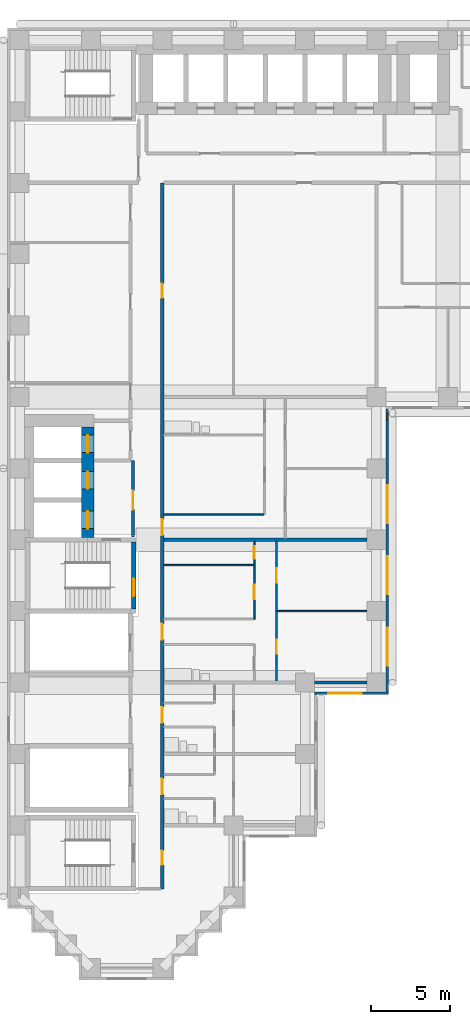
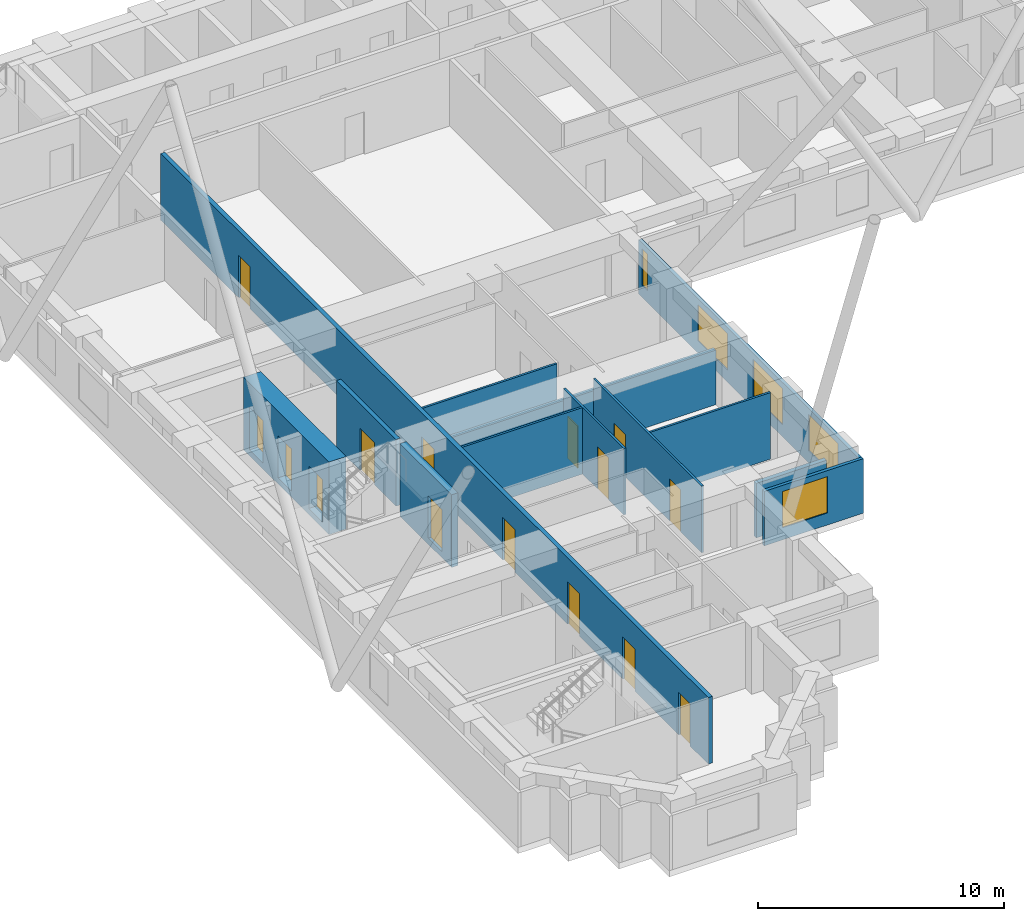
# One storey, part 4 of 13: 15 doors, 13 walls, 5 windows, 20 openings.
"""IFC4 building model written with IfcOpenShell, lengths in metres."""

from ifc_helpers import new_model, si_unit, direction, frame, frame_2d, origin, place, context, subcontext, project, spatial, rectangle, extrude, material, layer, layer_set, type_object, element, fill, save


model = new_model("IFC4")

# Units and contexts
model_context = context("Model", 3, precision=1e-05, world=origin(), true_north=direction((0.0, 1.0)))
body_context = subcontext(model_context, "Body", "Model", "MODEL_VIEW")
ifc_project = project(units=[si_unit("LENGTHUNIT", "METRE"), si_unit("AREAUNIT", "SQUARE_METRE"), si_unit("VOLUMEUNIT", "CUBIC_METRE"), si_unit("PLANEANGLEUNIT", "RADIAN"), si_unit("MASSUNIT", "GRAM", prefix="KILO")], contexts=[model_context])

# Site, building, storey
site_placement = place(None, origin())
site = spatial("IfcSite", under=ifc_project, at=site_placement, CompositionType="ELEMENT")
building_placement = place(site_placement, origin())
building = spatial("IfcBuilding", under=site, at=building_placement, Name="Firuza Court", CompositionType="ELEMENT")
storey_placement = place(building_placement, frame((0.0, 0.0, 72.199951171875)))
storey = spatial("IfcBuildingStorey", under=building, at=storey_placement, Name="L17", CompositionType="ELEMENT", Elevation=72.199951171875)

# Wall, opening, door
ifc_material_1 = material(Name="Concrete C60/75", Category="concrete")
ifc_layer_1 = layer(ifc_material_1, 0.300048828125)
ifc_layer_set_1 = layer_set([ifc_layer_1], Name="Concrete C60/75")
wall_type_1 = type_object("IfcWallType", Name="Core wall 300 C60/75", PredefinedType="SHEAR", material=ifc_layer_set_1)
wall_1_placement = place(storey_placement, frame((7.199951171875, 22.64990234375, -0.300048828125), z_axis=(0.0, 0.0, 1.0), x_axis=(0.0, 1.0, 0.0)))
wall_1 = element("IfcWall", 1, at=wall_1_placement, inside=storey, type_object=wall_type_1, Name="Core wall stair L17", PredefinedType="SHEAR", context=body_context, shape_type="SweptSolid", body=[
    extrude(rectangle(XDim=4.2001953125, YDim=0.300048828125, at=frame_2d((2.10009765625, 0.0))), origin(), (0.0, 0.0, 1.0), 3.60009765625),
])
opening_1_placement = place(wall_1_placement, frame((0.800048828125, 0.0, 0.300048828125)))
opening_1 = element("IfcOpeningElement", 2, at=opening_1_placement, cuts=wall_1, Name="Opening D17015", PredefinedType="OPENING", context=body_context, shape_type="SweptSolid", body=[
    extrude(rectangle(XDim=1.10009765625, YDim=2.10009765625, at=frame_2d((0.550048828125, 1.050048828125))), frame((0.0, 0.162109375, 0.0), z_axis=(0.0, -1.0, 0.0), x_axis=(1.0, 0.0, 0.0)), (0.0, 0.0, 1.0), 0.323974609375),
])
ifc_material_2 = material(Name="Timber door leaf in hardwood frame", Category="wood")
door_type_1 = type_object("IfcDoorType", Name="Stair door 1100", OperationType="SINGLE_SWING_LEFT", PredefinedType="DOOR", material=ifc_material_2)
door_1_placement = place(opening_1_placement, origin())
door_1 = element("IfcDoor", 3, at=door_1_placement, inside=storey, type_object=door_type_1, Name="Stair door S2", OperationType="SINGLE_SWING_LEFT", OverallHeight=2.10009765625, OverallWidth=1.10009765625, PredefinedType="DOOR", context=body_context, shape_type="SweptSolid", body=[
    extrude(rectangle(XDim=1.10009765625, YDim=2.10009765625, at=frame_2d((0.550048828125, 1.050048828125))), frame((0.0, 0.02490234375, 0.0), z_axis=(0.0, -1.0, 0.0), x_axis=(1.0, 0.0, 0.0)), (0.0, 0.0, 1.0), 0.050048828125),
])
fill(opening_1, door_1)

# Wall, openings, doors
ifc_layer_2 = layer(ifc_material_1, 0.800048828125)
ifc_layer_set_2 = layer_set([ifc_layer_2], Name="Concrete C60/75")
wall_type_2 = type_object("IfcWallType", Name="Core wall 800 C60/75", PredefinedType="SHEAR", material=ifc_layer_set_2)
wall_2_placement = place(storey_placement, frame((4.300048828125, 27.14990234375, -0.300048828125), z_axis=(0.0, 0.0, 1.0), x_axis=(0.0, 1.0, 0.0)))
wall_2 = element("IfcWall", 4, at=wall_2_placement, inside=storey, type_object=wall_type_2, Name="Core wall lift shaft L17", PredefinedType="SHEAR", context=body_context, shape_type="SweptSolid", body=[
    extrude(rectangle(XDim=6.9501953125, YDim=0.800048828125, at=frame_2d((3.47509765625, 0.0))), origin(), (0.0, 0.0, 1.0), 3.60009765625),
])
opening_2_placement = place(wall_2_placement, frame((3.050048828125, 0.0, 0.300048828125)))
opening_2 = element("IfcOpeningElement", 5, at=opening_2_placement, cuts=wall_2, Name="Opening LD-FL1-17", PredefinedType="OPENING", context=body_context, shape_type="SweptSolid", body=[
    extrude(rectangle(XDim=1.10009765625, YDim=2.10009765625, at=frame_2d((0.550048828125, 1.050048828125))), frame((0.0, 0.412109375, 0.0), z_axis=(0.0, -1.0, 0.0), x_axis=(1.0, 0.0, 0.0)), (0.0, 0.0, 1.0), 0.823974609375),
])
opening_3_placement = place(wall_2_placement, frame((0.550048828125, 0.0, 0.300048828125)))
opening_3 = element("IfcOpeningElement", 6, at=opening_3_placement, cuts=wall_2, Name="Opening LD-FL2-17", PredefinedType="OPENING", context=body_context, shape_type="SweptSolid", body=[
    extrude(rectangle(XDim=1.10009765625, YDim=2.10009765625, at=frame_2d((0.550048828125, 1.050048828125))), frame((0.0, 0.412109375, 0.0), z_axis=(0.0, -1.0, 0.0), x_axis=(1.0, 0.0, 0.0)), (0.0, 0.0, 1.0), 0.823974609375),
])
opening_4_placement = place(wall_2_placement, frame((5.35009765625, 0.0, 0.300048828125)))
opening_4 = element("IfcOpeningElement", 7, at=opening_4_placement, cuts=wall_2, Name="Opening LD-SL1-17", PredefinedType="OPENING", context=body_context, shape_type="SweptSolid", body=[
    extrude(rectangle(XDim=1.10009765625, YDim=2.10009765625, at=frame_2d((0.550048828125, 1.050048828125))), frame((0.0, 0.412109375, 0.0), z_axis=(0.0, -1.0, 0.0), x_axis=(1.0, 0.0, 0.0)), (0.0, 0.0, 1.0), 0.823974609375),
])
ifc_material_3 = material(Name="Stainless steel 1.4301 door leaf", Category="steel")
door_type_2 = type_object("IfcDoorType", Name="Lift landing door 1100", OperationType="SLIDING_TO_LEFT", PredefinedType="DOOR", material=ifc_material_3)
door_2_placement = place(opening_2_placement, origin())
door_2 = element("IfcDoor", 8, at=door_2_placement, inside=storey, type_object=door_type_2, Name="Landing door FL1", OperationType="SLIDING_TO_LEFT", OverallHeight=2.10009765625, OverallWidth=1.10009765625, PredefinedType="DOOR", context=body_context, shape_type="SweptSolid", body=[
    extrude(rectangle(XDim=1.10009765625, YDim=2.10009765625, at=frame_2d((0.550048828125, 1.050048828125))), frame((0.0, 0.02490234375, 0.0), z_axis=(0.0, -1.0, 0.0), x_axis=(1.0, 0.0, 0.0)), (0.0, 0.0, 1.0), 0.050048828125),
])
fill(opening_2, door_2)
door_3_placement = place(opening_3_placement, origin())
door_3 = element("IfcDoor", 9, at=door_3_placement, inside=storey, type_object=door_type_2, Name="Landing door FL2", OperationType="SLIDING_TO_LEFT", OverallHeight=2.10009765625, OverallWidth=1.10009765625, PredefinedType="DOOR", context=body_context, shape_type="SweptSolid", body=[
    extrude(rectangle(XDim=1.10009765625, YDim=2.10009765625, at=frame_2d((0.550048828125, 1.050048828125))), frame((0.0, 0.02490234375, 0.0), z_axis=(0.0, -1.0, 0.0), x_axis=(1.0, 0.0, 0.0)), (0.0, 0.0, 1.0), 0.050048828125),
])
fill(opening_3, door_3)
door_4_placement = place(opening_4_placement, origin())
door_4 = element("IfcDoor", 10, at=door_4_placement, inside=storey, type_object=door_type_2, Name="Landing door SL1", OperationType="SLIDING_TO_LEFT", OverallHeight=2.10009765625, OverallWidth=1.10009765625, PredefinedType="DOOR", context=body_context, shape_type="SweptSolid", body=[
    extrude(rectangle(XDim=1.10009765625, YDim=2.10009765625, at=frame_2d((0.550048828125, 1.050048828125))), frame((0.0, 0.02490234375, 0.0), z_axis=(0.0, -1.0, 0.0), x_axis=(1.0, 0.0, 0.0)), (0.0, 0.0, 1.0), 0.050048828125),
])
fill(opening_4, door_4)

ifc_material_4 = material(Name="Blockwork, plastered both sides", Category="masonry")
ifc_layer_3 = layer(ifc_material_4, 0.199951171875)
ifc_layer_set_3 = layer_set([ifc_layer_3], Name="Blockwork, plastered both sides")
wall_type_3 = type_object("IfcWallType", Name="Corridor wall 200", PredefinedType="PARTITIONING", material=ifc_layer_set_3)
wall_3_placement = place(storey_placement, frame((9.0, 5.0, 0.0), z_axis=(0.0, 0.0, 1.0), x_axis=(0.0, 1.0, 0.0)))
wall_3 = element("IfcWall", 11, at=wall_3_placement, inside=storey, type_object=wall_type_3, Name="Corridor wall 200 L17", PredefinedType="PARTITIONING", context=body_context, shape_type="SweptSolid", body=[
    extrude(rectangle(XDim=44.5, YDim=0.199951171875, at=frame_2d((22.25, 0.0))), origin(), (0.0, 0.0, 1.0), 3.300048828125),
])
opening_5_placement = place(wall_3_placement, frame((22.300048828125, 0.0, 0.0)))
opening_5 = element("IfcOpeningElement", 12, at=opening_5_placement, cuts=wall_3, Name="Opening D17019", PredefinedType="OPENING", context=body_context, shape_type="SweptSolid", body=[
    extrude(rectangle(XDim=1.0, YDim=2.10009765625, at=frame_2d((0.5, 1.050048828125))), frame((0.0, 0.11181640625, 0.0), z_axis=(0.0, -1.0, 0.0), x_axis=(1.0, 0.0, 0.0)), (0.0, 0.0, 1.0), 0.223876953125),
])
opening_6_placement = place(wall_3_placement, frame((15.699951171875, 0.0, 0.0)))
opening_6 = element("IfcOpeningElement", 13, at=opening_6_placement, cuts=wall_3, Name="Opening D17020", PredefinedType="OPENING", context=body_context, shape_type="SweptSolid", body=[
    extrude(rectangle(XDim=1.0, YDim=2.10009765625, at=frame_2d((0.5, 1.050048828125))), frame((0.0, 0.11181640625, 0.0), z_axis=(0.0, -1.0, 0.0), x_axis=(1.0, 0.0, 0.0)), (0.0, 0.0, 1.0), 0.223876953125),
])
opening_7_placement = place(wall_3_placement, frame((10.449951171875, 0.0, 0.0)))
opening_7 = element("IfcOpeningElement", 14, at=opening_7_placement, cuts=wall_3, Name="Opening D17021", PredefinedType="OPENING", context=body_context, shape_type="SweptSolid", body=[
    extrude(rectangle(XDim=1.0, YDim=2.10009765625, at=frame_2d((0.5, 1.050048828125))), frame((0.0, 0.11181640625, 0.0), z_axis=(0.0, -1.0, 0.0), x_axis=(1.0, 0.0, 0.0)), (0.0, 0.0, 1.0), 0.223876953125),
])
opening_8_placement = place(wall_3_placement, frame((5.949951171875, 0.0, 0.0)))
opening_8 = element("IfcOpeningElement", 15, at=opening_8_placement, cuts=wall_3, Name="Opening D17022", PredefinedType="OPENING", context=body_context, shape_type="SweptSolid", body=[
    extrude(rectangle(XDim=1.0, YDim=2.10009765625, at=frame_2d((0.5, 1.050048828125))), frame((0.0, 0.11181640625, 0.0), z_axis=(0.0, -1.0, 0.0), x_axis=(1.0, 0.0, 0.0)), (0.0, 0.0, 1.0), 0.223876953125),
])
opening_9_placement = place(wall_3_placement, frame((37.25, 0.0, 0.0)))
opening_9 = element("IfcOpeningElement", 16, at=opening_9_placement, cuts=wall_3, Name="Opening D17023", PredefinedType="OPENING", context=body_context, shape_type="SweptSolid", body=[
    extrude(rectangle(XDim=0.89990234375, YDim=2.10009765625, at=frame_2d((0.449951171875, 1.050048828125))), frame((0.0, 0.11181640625, 0.0), z_axis=(0.0, -1.0, 0.0), x_axis=(1.0, 0.0, 0.0)), (0.0, 0.0, 1.0), 0.223876953125),
])
opening_10_placement = place(wall_3_placement, frame((1.5, 0.0, 0.0)))
opening_10 = element("IfcOpeningElement", 17, at=opening_10_placement, cuts=wall_3, Name="Opening D17024", PredefinedType="OPENING", context=body_context, shape_type="SweptSolid", body=[
    extrude(rectangle(XDim=0.89990234375, YDim=2.10009765625, at=frame_2d((0.449951171875, 1.050048828125))), frame((0.0, 0.11181640625, 0.0), z_axis=(0.0, -1.0, 0.0), x_axis=(1.0, 0.0, 0.0)), (0.0, 0.0, 1.0), 0.223876953125),
])
ifc_material_5 = material(Name="Timber door leaf in hardwood frame", Category="wood")
door_type_3 = type_object("IfcDoorType", Name="Flat entrance door 1000", OperationType="SINGLE_SWING_LEFT", PredefinedType="DOOR", material=ifc_material_5)
door_5_placement = place(opening_5_placement, origin())
door_5 = element("IfcDoor", 18, at=door_5_placement, inside=storey, type_object=door_type_3, Name="Flat entrance door", OperationType="SINGLE_SWING_LEFT", OverallHeight=2.10009765625, OverallWidth=1.0, PredefinedType="DOOR", context=body_context, shape_type="SweptSolid", body=[
    extrude(rectangle(XDim=1.0, YDim=2.10009765625, at=frame_2d((0.5, 1.050048828125))), frame((0.0, 0.02490234375, 0.0), z_axis=(0.0, -1.0, 0.0), x_axis=(1.0, 0.0, 0.0)), (0.0, 0.0, 1.0), 0.050048828125),
])
fill(opening_5, door_5)
door_6_placement = place(opening_6_placement, origin())
door_6 = element("IfcDoor", 19, at=door_6_placement, inside=storey, type_object=door_type_3, Name="Flat entrance door", OperationType="SINGLE_SWING_LEFT", OverallHeight=2.10009765625, OverallWidth=1.0, PredefinedType="DOOR", context=body_context, shape_type="SweptSolid", body=[
    extrude(rectangle(XDim=1.0, YDim=2.10009765625, at=frame_2d((0.5, 1.050048828125))), frame((0.0, 0.02490234375, 0.0), z_axis=(0.0, -1.0, 0.0), x_axis=(1.0, 0.0, 0.0)), (0.0, 0.0, 1.0), 0.050048828125),
])
fill(opening_6, door_6)
door_7_placement = place(opening_7_placement, origin())
door_7 = element("IfcDoor", 20, at=door_7_placement, inside=storey, type_object=door_type_3, Name="Flat entrance door", OperationType="SINGLE_SWING_LEFT", OverallHeight=2.10009765625, OverallWidth=1.0, PredefinedType="DOOR", context=body_context, shape_type="SweptSolid", body=[
    extrude(rectangle(XDim=1.0, YDim=2.10009765625, at=frame_2d((0.5, 1.050048828125))), frame((0.0, 0.02490234375, 0.0), z_axis=(0.0, -1.0, 0.0), x_axis=(1.0, 0.0, 0.0)), (0.0, 0.0, 1.0), 0.050048828125),
])
fill(opening_7, door_7)
door_8_placement = place(opening_8_placement, origin())
door_8 = element("IfcDoor", 21, at=door_8_placement, inside=storey, type_object=door_type_3, Name="Flat entrance door", OperationType="SINGLE_SWING_LEFT", OverallHeight=2.10009765625, OverallWidth=1.0, PredefinedType="DOOR", context=body_context, shape_type="SweptSolid", body=[
    extrude(rectangle(XDim=1.0, YDim=2.10009765625, at=frame_2d((0.5, 1.050048828125))), frame((0.0, 0.02490234375, 0.0), z_axis=(0.0, -1.0, 0.0), x_axis=(1.0, 0.0, 0.0)), (0.0, 0.0, 1.0), 0.050048828125),
])
fill(opening_8, door_8)
ifc_material_6 = material(Name="Timber door leaf in hardwood frame", Category="wood")
door_type_4 = type_object("IfcDoorType", Name="Room door 900 EI 30", OperationType="SINGLE_SWING_LEFT", PredefinedType="DOOR", material=ifc_material_6)
door_9_placement = place(opening_9_placement, frame((0.89990234375, 0.0, 0.0), z_axis=(0.0, 0.0, 1.0), x_axis=(-1.0, 0.0, 0.0)))
door_9 = element("IfcDoor", 22, at=door_9_placement, inside=storey, type_object=door_type_4, Name="Music room door", OperationType="SINGLE_SWING_RIGHT", OverallHeight=2.10009765625, OverallWidth=0.89990234375, PredefinedType="DOOR", context=body_context, shape_type="SweptSolid", body=[
    extrude(rectangle(XDim=0.89990234375, YDim=2.10009765625, at=frame_2d((0.449951171875, 1.050048828125))), frame((0.0, 0.02490234375, 0.0), z_axis=(0.0, -1.0, 0.0), x_axis=(1.0, 0.0, 0.0)), (0.0, 0.0, 1.0), 0.050048828125),
])
fill(opening_9, door_9)
door_10_placement = place(opening_10_placement, frame((0.89990234375, 0.0, 0.0), z_axis=(0.0, 0.0, 1.0), x_axis=(-1.0, 0.0, 0.0)))
door_10 = element("IfcDoor", 23, at=door_10_placement, inside=storey, type_object=door_type_4, Name="Games room door", OperationType="SINGLE_SWING_LEFT", OverallHeight=2.10009765625, OverallWidth=0.89990234375, PredefinedType="DOOR", context=body_context, shape_type="SweptSolid", body=[
    extrude(rectangle(XDim=0.89990234375, YDim=2.10009765625, at=frame_2d((0.449951171875, 1.050048828125))), frame((0.0, 0.02490234375, 0.0), z_axis=(0.0, -1.0, 0.0), x_axis=(1.0, 0.0, 0.0)), (0.0, 0.0, 1.0), 0.050048828125),
])
fill(opening_10, door_10)

ifc_material_7 = material(Name="Timber stud partition, plasterboard both sides", Category="wood")
ifc_layer_4 = layer(ifc_material_7, 0.10009765625)
ifc_layer_set_4 = layer_set([ifc_layer_4], Name="Timber stud partition, plasterboard both sides")
wall_type_4 = type_object("IfcWallType", Name="Partition wall 100", PredefinedType="PARTITIONING", material=ifc_layer_set_4)
wall_4_placement = place(storey_placement, frame((16.199951171875, 18.10009765625, 0.0), z_axis=(0.0, 0.0, 1.0), x_axis=(0.0, 1.0, 0.0)))
wall_4 = element("IfcWall", 24, at=wall_4_placement, inside=storey, type_object=wall_type_4, Name="Partition wall 100 L17", PredefinedType="PARTITIONING", context=body_context, shape_type="SweptSolid", body=[
    extrude(rectangle(XDim=8.7998046875, YDim=0.10009765625, at=frame_2d((4.39990234375, 0.0))), origin(), (0.0, 0.0, 1.0), 3.300048828125),
])
opening_11_placement = place(wall_4_placement, frame((1.699951171875, 0.0, 0.0)))
opening_11 = element("IfcOpeningElement", 25, at=opening_11_placement, cuts=wall_4, Name="Opening D17033", PredefinedType="OPENING", context=body_context, shape_type="SweptSolid", body=[
    extrude(rectangle(XDim=0.89990234375, YDim=2.10009765625, at=frame_2d((0.449951171875, 1.050048828125))), frame((0.0, 0.06201171875, 0.0), z_axis=(0.0, -1.0, 0.0), x_axis=(1.0, 0.0, 0.0)), (0.0, 0.0, 1.0), 0.1240234375),
])
opening_12_placement = place(wall_4_placement, frame((6.199951171875, 0.0, 0.0)))
opening_12 = element("IfcOpeningElement", 26, at=opening_12_placement, cuts=wall_4, Name="Opening D17034", PredefinedType="OPENING", context=body_context, shape_type="SweptSolid", body=[
    extrude(rectangle(XDim=0.89990234375, YDim=2.10009765625, at=frame_2d((0.449951171875, 1.050048828125))), frame((0.0, 0.06201171875, 0.0), z_axis=(0.0, -1.0, 0.0), x_axis=(1.0, 0.0, 0.0)), (0.0, 0.0, 1.0), 0.1240234375),
])
ifc_material_8 = material(Name="Timber door leaf in hardwood frame", Category="wood")
door_type_5 = type_object("IfcDoorType", Name="Room door 900", OperationType="SINGLE_SWING_LEFT", PredefinedType="DOOR", material=ifc_material_8)
door_11_placement = place(opening_11_placement, frame((0.89990234375, 0.0, 0.0), z_axis=(0.0, 0.0, 1.0), x_axis=(-1.0, 0.0, 0.0)))
door_11 = element("IfcDoor", 27, at=door_11_placement, inside=storey, type_object=door_type_5, Name="Bedroom door", OperationType="SINGLE_SWING_RIGHT", OverallHeight=2.10009765625, OverallWidth=0.89990234375, PredefinedType="DOOR", context=body_context, shape_type="SweptSolid", body=[
    extrude(rectangle(XDim=0.89990234375, YDim=2.10009765625, at=frame_2d((0.449951171875, 1.050048828125))), frame((0.0, 0.02490234375, 0.0), z_axis=(0.0, -1.0, 0.0), x_axis=(1.0, 0.0, 0.0)), (0.0, 0.0, 1.0), 0.050048828125),
])
fill(opening_11, door_11)
door_12_placement = place(opening_12_placement, frame((0.89990234375, 0.0, 0.0), z_axis=(0.0, 0.0, 1.0), x_axis=(-1.0, 0.0, 0.0)))
door_12 = element("IfcDoor", 28, at=door_12_placement, inside=storey, type_object=door_type_5, Name="Living room door", OperationType="SINGLE_SWING_RIGHT", OverallHeight=2.10009765625, OverallWidth=0.89990234375, PredefinedType="DOOR", context=body_context, shape_type="SweptSolid", body=[
    extrude(rectangle(XDim=0.89990234375, YDim=2.10009765625, at=frame_2d((0.449951171875, 1.050048828125))), frame((0.0, 0.02490234375, 0.0), z_axis=(0.0, -1.0, 0.0), x_axis=(1.0, 0.0, 0.0)), (0.0, 0.0, 1.0), 0.050048828125),
])
fill(opening_12, door_12)

wall_5_placement = place(storey_placement, frame((14.800048828125, 22.0, 0.0), z_axis=(0.0, 0.0, 1.0), x_axis=(0.0, 1.0, 0.0)))
wall_5 = element("IfcWall", 29, at=wall_5_placement, inside=storey, type_object=wall_type_4, Name="Partition wall 100 L17", PredefinedType="PARTITIONING", context=body_context, shape_type="SweptSolid", body=[
    extrude(rectangle(XDim=4.89990234375, YDim=0.10009765625, at=frame_2d((2.449951171875, 0.0))), origin(), (0.0, 0.0, 1.0), 3.300048828125),
])
opening_13_placement = place(wall_5_placement, frame((1.25, 0.0, 0.0)))
opening_13 = element("IfcOpeningElement", 30, at=opening_13_placement, cuts=wall_5, Name="Opening D17035", PredefinedType="OPENING", context=body_context, shape_type="SweptSolid", body=[
    extrude(rectangle(XDim=0.89990234375, YDim=2.10009765625, at=frame_2d((0.449951171875, 1.050048828125))), frame((0.0, 0.06201171875, 0.0), z_axis=(0.0, -1.0, 0.0), x_axis=(1.0, 0.0, 0.0)), (0.0, 0.0, 1.0), 0.1240234375),
])
opening_14_placement = place(wall_5_placement, frame((3.800048828125, 0.0, 0.0)))
opening_14 = element("IfcOpeningElement", 31, at=opening_14_placement, cuts=wall_5, Name="Opening D17036", PredefinedType="OPENING", context=body_context, shape_type="SweptSolid", body=[
    extrude(rectangle(XDim=0.800048828125, YDim=2.10009765625, at=frame_2d((0.39990234375, 1.050048828125))), frame((0.0, 0.06201171875, 0.0), z_axis=(0.0, -1.0, 0.0), x_axis=(1.0, 0.0, 0.0)), (0.0, 0.0, 1.0), 0.1240234375),
])
ifc_material_9 = material(Name="Timber door leaf in hardwood frame", Category="wood")
door_type_6 = type_object("IfcDoorType", Name="Room door 800", OperationType="SINGLE_SWING_LEFT", PredefinedType="DOOR", material=ifc_material_9)
door_13_placement = place(opening_14_placement, origin())
door_13 = element("IfcDoor", 32, at=door_13_placement, inside=storey, type_object=door_type_6, Name="Store door", OperationType="SINGLE_SWING_LEFT", OverallHeight=2.10009765625, OverallWidth=0.800048828125, PredefinedType="DOOR", context=body_context, shape_type="SweptSolid", body=[
    extrude(rectangle(XDim=0.800048828125, YDim=2.10009765625, at=frame_2d((0.39990234375, 1.050048828125))), frame((0.0, 0.02490234375, 0.0), z_axis=(0.0, -1.0, 0.0), x_axis=(1.0, 0.0, 0.0)), (0.0, 0.0, 1.0), 0.050048828125),
])
fill(opening_14, door_13)
door_14_placement = place(opening_13_placement, origin())
door_14 = element("IfcDoor", 33, at=door_14_placement, inside=storey, type_object=door_type_5, Name="Kitchen door", OperationType="SINGLE_SWING_LEFT", OverallHeight=2.10009765625, OverallWidth=0.89990234375, PredefinedType="DOOR", context=body_context, shape_type="SweptSolid", body=[
    extrude(rectangle(XDim=0.89990234375, YDim=2.10009765625, at=frame_2d((0.449951171875, 1.050048828125))), frame((0.0, 0.02490234375, 0.0), z_axis=(0.0, -1.0, 0.0), x_axis=(1.0, 0.0, 0.0)), (0.0, 0.0, 1.0), 0.050048828125),
])
fill(opening_13, door_14)

# Walls
for number, where, z_axis, x_axis, name in (
    (34, (16.25, 22.5, 0.0), (0.0, 0.0, 1.0), (1.0, 0.0, 0.0), "Partition wall 100 L17"),
    (35, (9.10009765625, 25.39990234375, 0.0), (0.0, 0.0, 1.0), (1.0, 0.0, 0.0), "Partition wall 100 L17"),
):
    element("IfcWall", number, at=place(storey_placement, frame(where, z_axis=z_axis, x_axis=x_axis)), inside=storey, type_object=wall_type_4, Name=name, PredefinedType="PARTITIONING", context=body_context, shape_type="SweptSolid", body=[
        extrude(rectangle(XDim=5.64990234375, YDim=0.10009765625, at=frame_2d((2.824951171875, 0.0))), origin(), (0.0, 0.0, 1.0), 3.300048828125),
    ])
wall_6_placement = place(storey_placement, frame((9.10009765625, 28.60009765625, 0.0), z_axis=(0.0, 0.0, 1.0), x_axis=(1.0, 0.0, 0.0)))
element("IfcWall", 36, at=wall_6_placement, inside=storey, type_object=wall_type_4, Name="Partition wall 100 L17", PredefinedType="PARTITIONING", context=body_context, shape_type="SweptSolid", body=[
    extrude(rectangle(XDim=6.2998046875, YDim=0.10009765625, at=frame_2d((3.14990234375, 0.0))), origin(), (0.0, 0.0, 1.0), 3.300048828125),
])
ifc_layer_5 = layer(ifc_material_4, 0.199951171875)
ifc_layer_set_5 = layer_set([ifc_layer_5], Name="Blockwork, plastered both sides")
wall_type_5 = type_object("IfcWallType", Name="Party wall 200", PredefinedType="PARTITIONING", material=ifc_layer_set_5)
wall_7_placement = place(storey_placement, frame((18.60009765625, 18.0, 0.0), z_axis=(0.0, 0.0, 1.0), x_axis=(1.0, 0.0, 0.0)))
element("IfcWall", 37, at=wall_7_placement, inside=storey, type_object=wall_type_5, Name="Party wall 200 L17", PredefinedType="PARTITIONING", context=body_context, shape_type="SweptSolid", body=[
    extrude(rectangle(XDim=3.2998046875, YDim=0.199951171875, at=frame_2d((1.64990234375, 0.0))), origin(), (0.0, 0.0, 1.0), 2.699951171875),
])
wall_8_placement = place(storey_placement, frame((9.10009765625, 27.0, 0.0), z_axis=(0.0, 0.0, 1.0), x_axis=(1.0, 0.0, 0.0)))
element("IfcWall", 38, at=wall_8_placement, inside=storey, type_object=wall_type_5, Name="Party wall 200 L17", PredefinedType="PARTITIONING", context=body_context, shape_type="SweptSolid", body=[
    extrude(rectangle(XDim=12.7998046875, YDim=0.199951171875, at=frame_2d((6.39990234375, 0.0))), origin(), (0.0, 0.0, 1.0), 2.699951171875),
])

# Wall, opening, window
ifc_material_10 = material(Name="Ceramic tile", Category="ceramic")
ifc_layer_6 = layer(ifc_material_10, 0.02001953125)
ifc_material_11 = material(Name="Mineral wool insulation", Category="insulation")
ifc_layer_7 = layer(ifc_material_11, 0.050048828125)
ifc_material_12 = material(Name="Concrete C40/50 precast", Category="concrete")
ifc_layer_8 = layer(ifc_material_12, 0.080078125)
ifc_layer_set_6 = layer_set([ifc_layer_6, ifc_layer_7, ifc_layer_8], Name="Concrete C40/50 precast")
wall_type_6 = type_object("IfcWallType", Name="Precast cladding wall with turquoise TILE PANEL face 150", PredefinedType="STANDARD", material=ifc_layer_set_6)
wall_9_placement = place(storey_placement, frame((18.60009765625, 17.324951171875, 0.0), z_axis=(0.0, 0.0, 1.0), x_axis=(1.0, 0.0, 0.0)))
wall_9 = element("IfcWall", 39, at=wall_9_placement, inside=storey, type_object=wall_type_6, Name="Facade wall L17 S", PredefinedType="STANDARD", context=body_context, shape_type="SweptSolid", body=[
    extrude(rectangle(XDim=4.64990234375, YDim=0.14990234375, at=frame_2d((2.324951171875, 0.0))), origin(), (0.0, 0.0, 1.0), 2.699951171875),
])
opening_15_placement = place(wall_9_placement, frame((0.8564453125, 0.0, 0.60009765625)))
opening_15 = element("IfcOpeningElement", 40, at=opening_15_placement, cuts=wall_9, Name="Opening W6", PredefinedType="OPENING", context=body_context, shape_type="SweptSolid", body=[
    extrude(rectangle(XDim=2.10009765625, YDim=1.800048828125, at=frame_2d((1.050048828125, 0.89990234375))), frame((0.0, 0.0869140625, 0.0), z_axis=(0.0, -1.0, 0.0), x_axis=(1.0, 0.0, 0.0)), (0.0, 0.0, 1.0), 0.173828125),
])
ifc_material_13 = material(Name="Aluminium frame, triple clear glazing", Category="aluminium")
window_type_1 = type_object("IfcWindowType", Name="Window W6 2100 x 1800", PartitioningType="SINGLE_PANEL", PredefinedType="WINDOW", material=ifc_material_13)
window_1_placement = place(opening_15_placement, origin())
window_1 = element("IfcWindow", 41, at=window_1_placement, inside=storey, type_object=window_type_1, Name="Window L17", OverallHeight=1.800048828125, OverallWidth=2.10009765625, PartitioningType="SINGLE_PANEL", PredefinedType="WINDOW", context=body_context, shape_type="SweptSolid", body=[
    extrude(rectangle(XDim=2.10009765625, YDim=1.800048828125, at=frame_2d((1.050048828125, 0.89990234375))), frame((0.0, 0.030029296875, 0.0), z_axis=(0.0, -1.0, 0.0), x_axis=(1.0, 0.0, 0.0)), (0.0, 0.0, 1.0), 0.06005859375),
])
fill(opening_15, window_1)

# Wall, openings, windows
wall_10_placement = place(storey_placement, frame((23.175048828125, 17.39990234375, 0.0), z_axis=(0.0, 0.0, 1.0), x_axis=(0.0, 1.0, 0.0)))
wall_10 = element("IfcWall", 42, at=wall_10_placement, inside=storey, type_object=wall_type_6, Name="Facade wall L17 E", PredefinedType="STANDARD", context=body_context, shape_type="SweptSolid", body=[
    extrude(rectangle(XDim=17.85009765625, YDim=0.14990234375, at=frame_2d((8.925048828125, 0.0))), origin(), (0.0, 0.0, 1.0), 2.699951171875),
])
opening_16_placement = place(wall_10_placement, frame((1.64990234375, 0.0, 0.60009765625)))
opening_16 = element("IfcOpeningElement", 43, at=opening_16_placement, cuts=wall_10, Name="Opening W1", PredefinedType="OPENING", context=body_context, shape_type="SweptSolid", body=[
    extrude(rectangle(XDim=2.39990234375, YDim=1.800048828125, at=frame_2d((1.199951171875, 0.89990234375))), frame((0.0, 0.0869140625, 0.0), z_axis=(0.0, -1.0, 0.0), x_axis=(1.0, 0.0, 0.0)), (0.0, 0.0, 1.0), 0.173828125),
])
opening_17_placement = place(wall_10_placement, frame((6.14990234375, 0.0, 0.60009765625)))
opening_17 = element("IfcOpeningElement", 44, at=opening_17_placement, cuts=wall_10, Name="Opening W1", PredefinedType="OPENING", context=body_context, shape_type="SweptSolid", body=[
    extrude(rectangle(XDim=2.39990234375, YDim=1.800048828125, at=frame_2d((1.199951171875, 0.89990234375))), frame((0.0, 0.0869140625, 0.0), z_axis=(0.0, -1.0, 0.0), x_axis=(1.0, 0.0, 0.0)), (0.0, 0.0, 1.0), 0.173828125),
])
opening_18_placement = place(wall_10_placement, frame((10.64990234375, 0.0, 0.60009765625)))
opening_18 = element("IfcOpeningElement", 45, at=opening_18_placement, cuts=wall_10, Name="Opening W1", PredefinedType="OPENING", context=body_context, shape_type="SweptSolid", body=[
    extrude(rectangle(XDim=2.39990234375, YDim=1.800048828125, at=frame_2d((1.199951171875, 0.89990234375))), frame((0.0, 0.0869140625, 0.0), z_axis=(0.0, -1.0, 0.0), x_axis=(1.0, 0.0, 0.0)), (0.0, 0.0, 1.0), 0.173828125),
])
opening_19_placement = place(wall_10_placement, frame((17.1298828125, 0.0, 0.60009765625)))
opening_19 = element("IfcOpeningElement", 46, at=opening_19_placement, cuts=wall_10, Name="Opening W5", PredefinedType="OPENING", context=body_context, shape_type="SweptSolid", body=[
    extrude(rectangle(XDim=0.449951171875, YDim=1.800048828125, at=frame_2d((0.22509765625, 0.89990234375))), frame((0.0, 0.0869140625, 0.0), z_axis=(0.0, -1.0, 0.0), x_axis=(1.0, 0.0, 0.0)), (0.0, 0.0, 1.0), 0.173828125),
])
ifc_material_14 = material(Name="Aluminium frame, triple clear glazing", Category="aluminium")
window_type_2 = type_object("IfcWindowType", Name="Window W1 2400 x 1800", PartitioningType="SINGLE_PANEL", PredefinedType="WINDOW", material=ifc_material_14)
window_2_placement = place(opening_16_placement, origin())
window_2 = element("IfcWindow", 47, at=window_2_placement, inside=storey, type_object=window_type_2, Name="Window L17", OverallHeight=1.800048828125, OverallWidth=2.39990234375, PartitioningType="SINGLE_PANEL", PredefinedType="WINDOW", context=body_context, shape_type="SweptSolid", body=[
    extrude(rectangle(XDim=2.39990234375, YDim=1.800048828125, at=frame_2d((1.199951171875, 0.89990234375))), frame((0.0, 0.030029296875, 0.0), z_axis=(0.0, -1.0, 0.0), x_axis=(1.0, 0.0, 0.0)), (0.0, 0.0, 1.0), 0.06005859375),
])
fill(opening_16, window_2)
window_3_placement = place(opening_17_placement, origin())
window_3 = element("IfcWindow", 48, at=window_3_placement, inside=storey, type_object=window_type_2, Name="Window L17", OverallHeight=1.800048828125, OverallWidth=2.39990234375, PartitioningType="SINGLE_PANEL", PredefinedType="WINDOW", context=body_context, shape_type="SweptSolid", body=[
    extrude(rectangle(XDim=2.39990234375, YDim=1.800048828125, at=frame_2d((1.199951171875, 0.89990234375))), frame((0.0, 0.030029296875, 0.0), z_axis=(0.0, -1.0, 0.0), x_axis=(1.0, 0.0, 0.0)), (0.0, 0.0, 1.0), 0.06005859375),
])
fill(opening_17, window_3)
window_4_placement = place(opening_18_placement, origin())
window_4 = element("IfcWindow", 49, at=window_4_placement, inside=storey, type_object=window_type_2, Name="Window L17", OverallHeight=1.800048828125, OverallWidth=2.39990234375, PartitioningType="SINGLE_PANEL", PredefinedType="WINDOW", context=body_context, shape_type="SweptSolid", body=[
    extrude(rectangle(XDim=2.39990234375, YDim=1.800048828125, at=frame_2d((1.199951171875, 0.89990234375))), frame((0.0, 0.030029296875, 0.0), z_axis=(0.0, -1.0, 0.0), x_axis=(1.0, 0.0, 0.0)), (0.0, 0.0, 1.0), 0.06005859375),
])
fill(opening_18, window_4)
ifc_material_15 = material(Name="Aluminium frame, triple clear glazing", Category="aluminium")
window_type_3 = type_object("IfcWindowType", Name="Window W5 450 x 1800", PartitioningType="SINGLE_PANEL", PredefinedType="WINDOW", material=ifc_material_15)
window_5_placement = place(opening_19_placement, origin())
window_5 = element("IfcWindow", 50, at=window_5_placement, inside=storey, type_object=window_type_3, Name="Window L17", OverallHeight=1.800048828125, OverallWidth=0.449951171875, PartitioningType="SINGLE_PANEL", PredefinedType="WINDOW", context=body_context, shape_type="SweptSolid", body=[
    extrude(rectangle(XDim=0.449951171875, YDim=1.800048828125, at=frame_2d((0.22509765625, 0.89990234375))), frame((0.0, 0.030029296875, 0.0), z_axis=(0.0, -1.0, 0.0), x_axis=(1.0, 0.0, 0.0)), (0.0, 0.0, 1.0), 0.06005859375),
])
fill(opening_19, window_5)

# Wall, opening, door
ifc_material_16 = material(Name="Blockwork, fire-rated", Category="masonry")
ifc_layer_9 = layer(ifc_material_16, 0.199951171875)
ifc_layer_set_7 = layer_set([ifc_layer_9], Name="Blockwork, fire-rated")
wall_type_7 = type_object("IfcWallType", Name="Shaft wall 200", PredefinedType="PARTITIONING", material=ifc_layer_set_7)
wall_11_placement = place(storey_placement, frame((7.14990234375, 27.169921875, 0.0), z_axis=(0.0, 0.0, 1.0), x_axis=(0.0, 1.0, 0.0)))
wall_11 = element("IfcWall", 51, at=wall_11_placement, inside=storey, type_object=wall_type_7, Name="Shaft wall 200 L17", PredefinedType="PARTITIONING", context=body_context, shape_type="SweptSolid", body=[
    extrude(rectangle(XDim=4.830078125, YDim=0.199951171875, at=frame_2d((2.4150390625, 0.0))), origin(), (0.0, 0.0, 1.0), 3.300048828125),
])
opening_20_placement = place(wall_11_placement, frame((1.72998046875, 0.0, 0.0)))
opening_20 = element("IfcOpeningElement", 52, at=opening_20_placement, cuts=wall_11, Name="Opening D17002", PredefinedType="OPENING", context=body_context, shape_type="SweptSolid", body=[
    extrude(rectangle(XDim=1.199951171875, YDim=2.10009765625, at=frame_2d((0.60009765625, 1.050048828125))), frame((0.0, 0.11181640625, 0.0), z_axis=(0.0, -1.0, 0.0), x_axis=(1.0, 0.0, 0.0)), (0.0, 0.0, 1.0), 0.223876953125),
])
ifc_material_17 = material(Name="Timber door leaf in hardwood frame", Category="wood")
door_type_7 = type_object("IfcDoorType", Name="Lobby door 1200", OperationType="SINGLE_SWING_LEFT", PredefinedType="DOOR", material=ifc_material_17)
door_15_placement = place(opening_20_placement, origin())
door_15 = element("IfcDoor", 53, at=door_15_placement, inside=storey, type_object=door_type_7, Name="Fire-fighting lobby door", OperationType="SINGLE_SWING_LEFT", OverallHeight=2.10009765625, OverallWidth=1.199951171875, PredefinedType="DOOR", context=body_context, shape_type="SweptSolid", body=[
    extrude(rectangle(XDim=1.199951171875, YDim=2.10009765625, at=frame_2d((0.60009765625, 1.050048828125))), frame((0.0, 0.02490234375, 0.0), z_axis=(0.0, -1.0, 0.0), x_axis=(1.0, 0.0, 0.0)), (0.0, 0.0, 1.0), 0.050048828125),
])
fill(opening_20, door_15)

save(model, "model.ifc")
